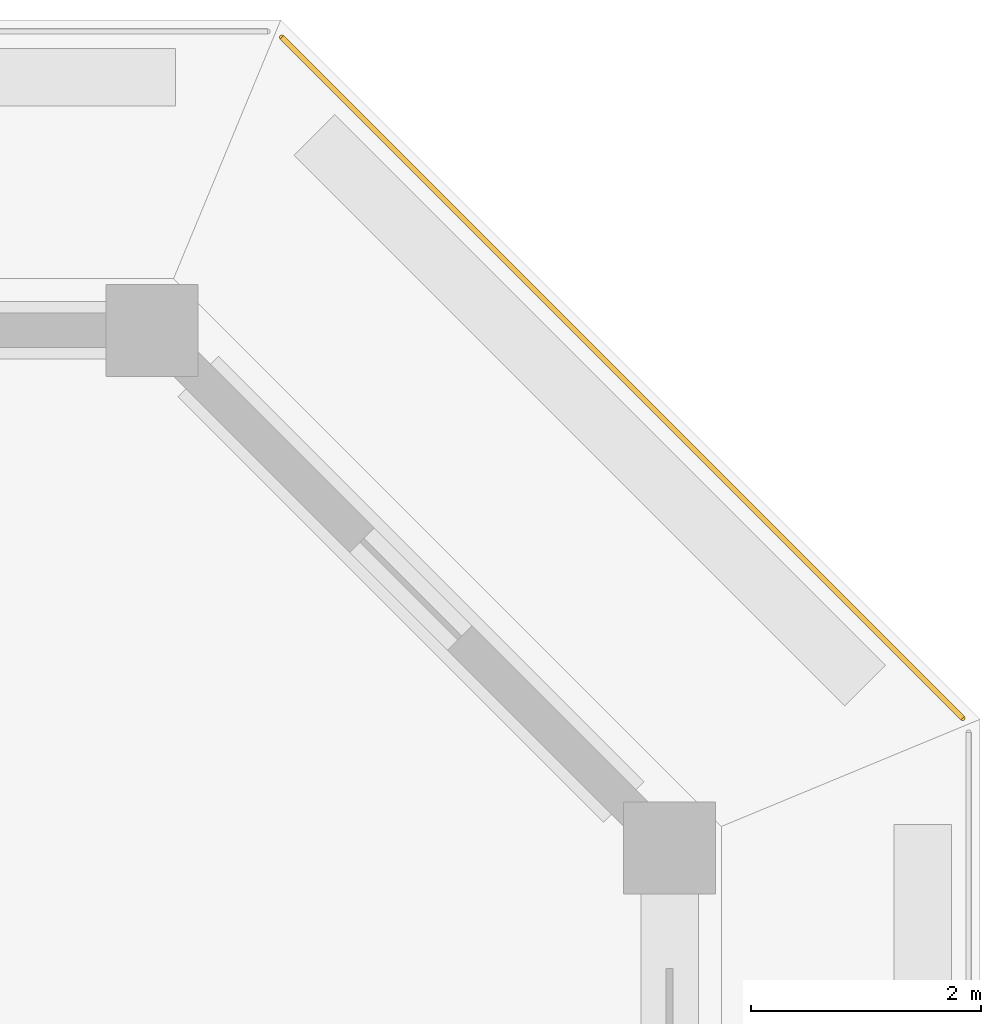
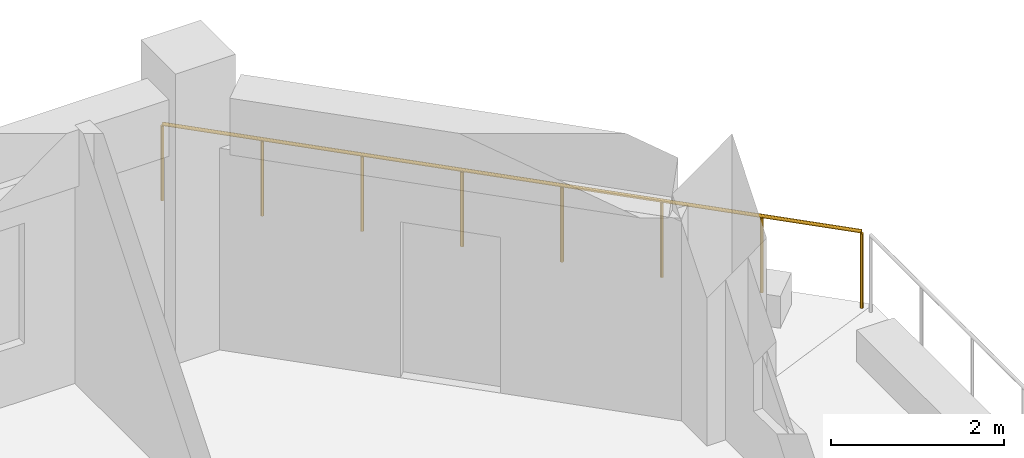
# One storey, part 16 of 17: 1 railing.
"""IFC4 building model written with IfcOpenShell, lengths in metres."""

from ifc_helpers import new_model, si_unit, direction, frame, origin, origin_2d, place, context, subcontext, project, spatial, circle, extrude, material, type_object, element, save


model = new_model("IFC4")

# Units and contexts
model_context = context("Model", 3, precision=1e-05, world=origin(), true_north=direction((0.0, 1.0)))
body_context = subcontext(model_context, "Body", "Model", "MODEL_VIEW")
ifc_project = project(units=[si_unit("LENGTHUNIT", "METRE"), si_unit("AREAUNIT", "SQUARE_METRE"), si_unit("VOLUMEUNIT", "CUBIC_METRE"), si_unit("PLANEANGLEUNIT", "RADIAN"), si_unit("MASSUNIT", "GRAM", prefix="KILO")], contexts=[model_context])

# Site, building, storey
site_placement = place(None, origin())
site = spatial("IfcSite", under=ifc_project, at=site_placement, CompositionType="ELEMENT")
building_placement = place(site_placement, origin())
building = spatial("IfcBuilding", under=site, at=building_placement, Name="Corbel Stack Research Tower", CompositionType="ELEMENT")
storey_placement = place(building_placement, frame((0.0, 0.0, 243.89990234375)))
storey = spatial("IfcBuildingStorey", under=building, at=storey_placement, Name="L55", CompositionType="ELEMENT", Elevation=243.89990234375)

# Railing
ifc_material = material(Name="Powder-coated steel guard", Category="steel")
railing_type = type_object("IfcRailingType", Name="Steel and glass guard 1100", PredefinedType="GUARDRAIL", material=ifc_material)
railing_placement = place(storey_placement, frame((29.54931640625, 28.127685546875, 0.0)))
element("IfcRailing", 1, at=railing_placement, inside=storey, type_object=railing_type, Name="Loggia guard L55 NE", PredefinedType="GUARDRAIL", context=body_context, shape_type="SweptSolid", body=[
    extrude(circle(Radius=0.02392578125, at=origin_2d()), frame((0.0, 0.0, 1.076171875), z_axis=(-0.707106781187, 0.707106781187, 0.0), x_axis=(-0.707106781187, -0.707106781187, 0.0)), (0.0, 0.0, 1.0), 8.37451171875),
    extrude(circle(Radius=0.02099609375, at=origin_2d()), origin(), (0.0, 0.0, 1.0), 1.052001953125),
    extrude(circle(Radius=0.02099609375, at=origin_2d()), frame((-0.845947265625, 0.845947265625, 0.0)), (0.0, 0.0, 1.0), 1.052001953125),
    extrude(circle(Radius=0.02099609375, at=origin_2d()), frame((-1.69189453125, 1.69189453125, 0.0)), (0.0, 0.0, 1.0), 1.052001953125),
    extrude(circle(Radius=0.02099609375, at=origin_2d()), frame((-2.537841796875, 2.537841796875, 0.0)), (0.0, 0.0, 1.0), 1.052001953125),
    extrude(circle(Radius=0.02099609375, at=origin_2d()), frame((-3.3837890625, 3.3837890625, 0.0)), (0.0, 0.0, 1.0), 1.052001953125),
    extrude(circle(Radius=0.02099609375, at=origin_2d()), frame((-4.229736328125, 4.229736328125, 0.0)), (0.0, 0.0, 1.0), 1.052001953125),
    extrude(circle(Radius=0.02099609375, at=origin_2d()), frame((-5.07568359375, 5.07568359375, 0.0)), (0.0, 0.0, 1.0), 1.052001953125),
    extrude(circle(Radius=0.02099609375, at=origin_2d()), frame((-5.921630859375, 5.921630859375, 0.0)), (0.0, 0.0, 1.0), 1.052001953125),
])

save(model, "model.ifc")
